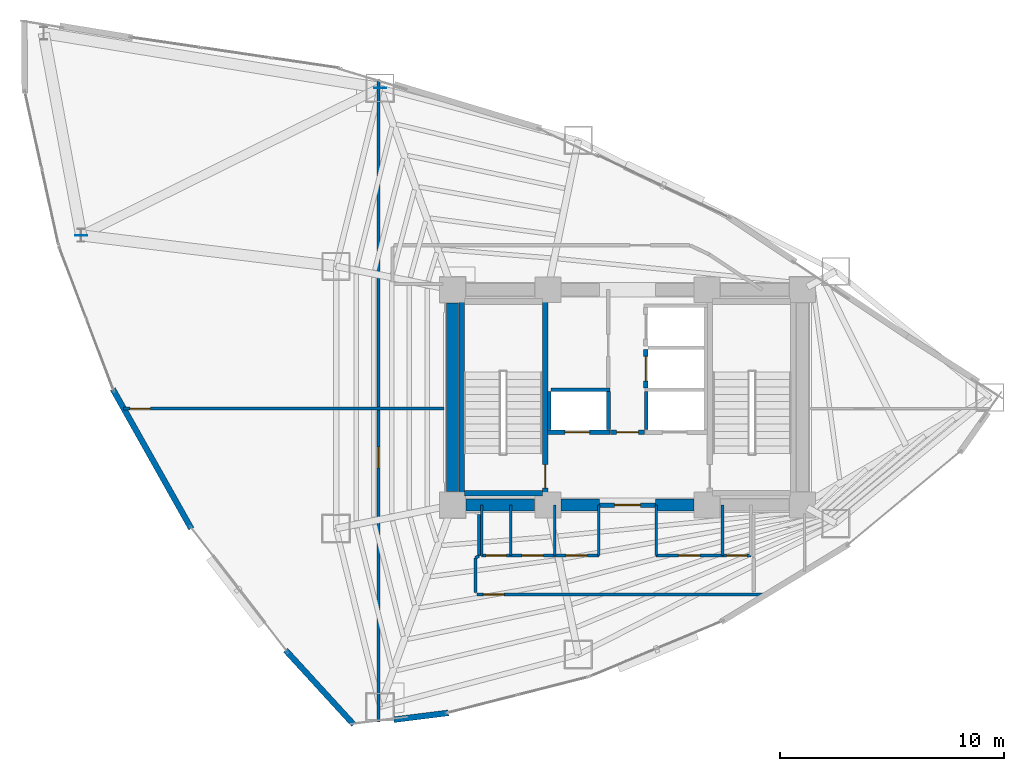
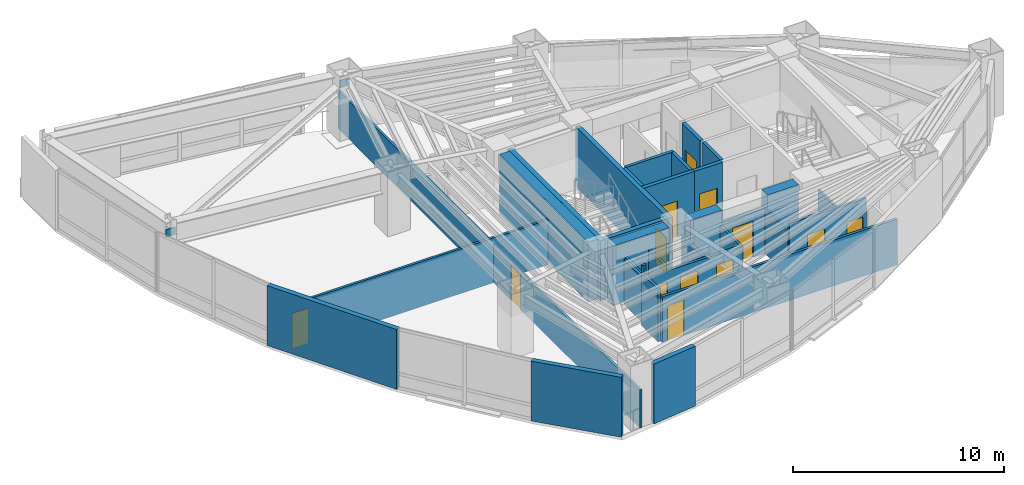
# One storey, part 19 of 23: 32 walls, 13 doors, 2 plates, 13 openings.
"""IFC4 building model written with IfcOpenShell, lengths in metres."""

from ifc_helpers import new_model, si_unit, direction, frame, frame_2d, origin, origin_2d, place, context, subcontext, project, spatial, rectangle, extrude, material, layer, layer_set, type_object, element, fill, save


model = new_model("IFC4")

# Units and contexts
model_context = context("Model", 3, precision=1e-05, world=origin(), true_north=direction((0.0, 1.0)))
body_context = subcontext(model_context, "Body", "Model", "MODEL_VIEW")
ifc_project = project(units=[si_unit("LENGTHUNIT", "METRE"), si_unit("AREAUNIT", "SQUARE_METRE"), si_unit("VOLUMEUNIT", "CUBIC_METRE"), si_unit("PLANEANGLEUNIT", "RADIAN"), si_unit("MASSUNIT", "GRAM", prefix="KILO")], contexts=[model_context])

# Site, building, storey
site_placement = place(None, origin())
site = spatial("IfcSite", under=ifc_project, at=site_placement, CompositionType="ELEMENT")
building_placement = place(site_placement, origin())
building = spatial("IfcBuilding", under=site, at=building_placement, Name="Menara Vayukalpa", CompositionType="ELEMENT")
storey_placement = place(building_placement, frame((0.0, 0.0, 107.699951171875)))
storey = spatial("IfcBuildingStorey", under=building, at=storey_placement, Name="L26", CompositionType="ELEMENT", Elevation=107.699951171875)

# Plates
ifc_material_1 = material(Name="Steel S355", Category="steel")
ifc_layer_1 = layer(ifc_material_1, 0.028076171875)
ifc_layer_set_1 = layer_set([ifc_layer_1], Name="Steel S355")
plate_type = type_object("IfcPlateType", Name="PLT-END1", PredefinedType="USERDEFINED", material=ifc_layer_set_1)
for number, where, z_axis, x_axis, name in (
    (1, (14.569091796875, 35.79736328125, 2.625), (0.0, 0.0, 1.0), (1.0, 0.0, 0.0), "L26 Structural Brace End Gusset Plate 033"),
    (2, (1.239990234375, 29.22314453125, 2.625), (0.0, 0.0, 1.0), (1.0, 0.0, 0.0), "L26 Structural Brace End Gusset Plate 034"),
):
    element("IfcPlate", number, at=place(storey_placement, frame(where, z_axis=z_axis, x_axis=x_axis)), inside=storey, type_object=plate_type, Name=name, ObjectType="GUSSET_PLATE", PredefinedType="USERDEFINED", context=body_context, shape_type="SweptSolid", body=[
        extrude(rectangle(XDim=0.5400390625, YDim=0.028076171875, at=origin_2d()), origin(), (0.0, 0.0, 1.0), 0.43994140625),
    ])

# Walls
ifc_material_2 = material(Name="Concrete C60/75", Category="concrete")
ifc_layer_2 = layer(ifc_material_2, 0.550048828125)
ifc_layer_set_2 = layer_set([ifc_layer_2], Name="Concrete C60/75")
wall_type_1 = type_object("IfcWallType", Name="WAL-CW550", PredefinedType="SHEAR", material=ifc_layer_set_2)
wall_1_placement = place(storey_placement, frame((18.39501953125, 17.199951171875, 0.0), z_axis=(0.0, 0.0, 1.0), x_axis=(1.0, 0.0, 0.0)))
element("IfcWall", 3, at=wall_1_placement, inside=storey, type_object=wall_type_1, Name="L26 Buttressed Core Shear Wall CWS1", PredefinedType="SHEAR", context=body_context, shape_type="SweptSolid", body=[
    extrude(rectangle(XDim=3.06005859375, YDim=0.550048828125, at=frame_2d((1.530029296875, 0.0))), origin(), (0.0, 0.0, 1.0), 3.469970703125),
])
wall_2_placement = place(storey_placement, frame((22.64501953125, 17.199951171875, 0.0), z_axis=(0.0, 0.0, 1.0), x_axis=(1.0, 0.0, 0.0)))
element("IfcWall", 4, at=wall_2_placement, inside=storey, type_object=wall_type_1, Name="L26 Buttressed Core Shear Wall CWS2", PredefinedType="SHEAR", context=body_context, shape_type="SweptSolid", body=[
    extrude(rectangle(XDim=1.705078125, YDim=0.550048828125, at=frame_2d((0.8525390625, 0.0))), origin(), (0.0, 0.0, 1.0), 3.469970703125),
])
wall_3_placement = place(storey_placement, frame((26.85009765625, 17.199951171875, 0.0), z_axis=(0.0, 0.0, 1.0), x_axis=(1.0, 0.0, 0.0)))
element("IfcWall", 5, at=wall_3_placement, inside=storey, type_object=wall_type_1, Name="L26 Buttressed Core Shear Wall CWS3", PredefinedType="SHEAR", context=body_context, shape_type="SweptSolid", body=[
    extrude(rectangle(XDim=1.704833984375, YDim=0.550048828125, at=frame_2d((0.8525390625, 0.0))), origin(), (0.0, 0.0, 1.0), 3.469970703125),
])
wall_4_placement = place(storey_placement, frame((17.800048828125, 17.794921875, 0.0), z_axis=(0.0, 0.0, 1.0), x_axis=(0.0, 1.0, 0.0)))
element("IfcWall", 6, at=wall_4_placement, inside=storey, type_object=wall_type_1, Name="L26 Buttressed Core Shear Wall CWW1", PredefinedType="SHEAR", context=body_context, shape_type="SweptSolid", body=[
    extrude(rectangle(XDim=8.41015625, YDim=0.550048828125, at=frame_2d((4.205078125, 0.0))), origin(), (0.0, 0.0, 1.0), 3.469970703125),
])
ifc_material_3 = material(Name="Insulated Precast Concrete C40/50", Category="concrete")
ifc_layer_3 = layer(ifc_material_3, 0.260009765625)
ifc_layer_set_3 = layer_set([ifc_layer_3], Name="Insulated Precast Concrete C40/50")
wall_type_2 = type_object("IfcWallType", Name="WAL-EXT260", PredefinedType="PARTITIONING", material=ifc_layer_set_3)
wall_5_placement = place(storey_placement, frame((6.150634765625, 16.147216796875, 0.0), z_axis=(0.0, 0.0, 1.0), x_axis=(-0.490230424354, 0.871592870002, 0.0)))
element("IfcWall", 7, at=wall_5_placement, inside=storey, type_object=wall_type_2, Name="L26 Perimeter Terracotta Pier Wall 12", PredefinedType="PARTITIONING", context=body_context, shape_type="SweptSolid", body=[
    extrude(rectangle(XDim=7.14697265625, YDim=0.260009765625, at=frame_2d((3.573486328125, 0.0))), origin(), (0.0, 0.0, 1.0), 3.469970703125),
])
wall_6_placement = place(storey_placement, frame((13.396240234375, 7.407958984375, 0.0), z_axis=(0.0, 0.0, 1.0), x_axis=(-0.675481616858, 0.737376827197, 0.0)))
element("IfcWall", 8, at=wall_6_placement, inside=storey, type_object=wall_type_2, Name="L26 Perimeter Terracotta Pier Wall 14", PredefinedType="PARTITIONING", context=body_context, shape_type="SweptSolid", body=[
    extrude(rectangle(XDim=4.504638671875, YDim=0.260009765625, at=frame_2d((2.25244140625, 0.0))), origin(), (0.0, 0.0, 1.0), 3.469970703125),
])
wall_7_placement = place(storey_placement, frame((17.61962890625, 7.9345703125, 0.0), z_axis=(0.0, 0.0, 1.0), x_axis=(-0.992311540598, -0.123765125925, 0.0)))
element("IfcWall", 9, at=wall_7_placement, inside=storey, type_object=wall_type_2, Name="L26 Perimeter Terracotta Pier Wall 15", PredefinedType="PARTITIONING", context=body_context, shape_type="SweptSolid", body=[
    extrude(rectangle(XDim=2.451904296875, YDim=0.260009765625, at=frame_2d((1.22607421875, 0.0))), origin(), (0.0, 0.0, 1.0), 3.469970703125),
])
ifc_material_4 = material(Name="Lightweight Concrete Blockwork C16/20", Category="masonry")
ifc_layer_4 = layer(ifc_material_4, 0.159912109375)
ifc_layer_set_4 = layer_set([ifc_layer_4], Name="Lightweight Concrete Blockwork C16/20")
wall_type_3 = type_object("IfcWallType", Name="WAL-FR150", PredefinedType="PARTITIONING", material=ifc_layer_set_4)
for number, where, z_axis, x_axis, name in (
    (10, (22.10498046875, 20.56005859375, 0.0), (0.0, 0.0, 1.0), (0.0, 1.0, 0.0), "L26 Interior Partition IW-L26-SHW-WW"),
    (11, (24.7548828125, 20.56005859375, 0.0), (0.0, 0.0, 1.0), (0.0, 1.0, 0.0), "L26 Interior Partition IW-L26-SHW-W1E"),
):
    element("IfcWall", number, at=place(storey_placement, frame(where, z_axis=z_axis, x_axis=x_axis)), inside=storey, type_object=wall_type_3, Name=name, PredefinedType="PARTITIONING", context=body_context, shape_type="SweptSolid", body=[
        extrude(rectangle(XDim=1.7099609375, YDim=0.159912109375, at=frame_2d((0.85498046875, 0.0))), origin(), (0.0, 0.0, 1.0), 3.469970703125),
    ])
wall_8_placement = place(storey_placement, frame((22.179931640625, 22.344970703125, 0.0), z_axis=(0.0, 0.0, 1.0), x_axis=(1.0, 0.0, 0.0)))
element("IfcWall", 12, at=wall_8_placement, inside=storey, type_object=wall_type_3, Name="L26 Interior Partition IW-L26-SHM-W12", PredefinedType="PARTITIONING", context=body_context, shape_type="SweptSolid", body=[
    extrude(rectangle(XDim=2.650146484375, YDim=0.159912109375, at=frame_2d((1.3251953125, 0.0))), origin(), (0.0, 0.0, 1.0), 3.469970703125),
])
wall_9_placement = place(storey_placement, frame((26.445068359375, 20.56005859375, 0.0), z_axis=(0.0, 0.0, 1.0), x_axis=(0.0, 1.0, 0.0)))
element("IfcWall", 13, at=wall_9_placement, inside=storey, type_object=wall_type_3, Name="L26 Interior Partition IW-L26-SHW-E1W", PredefinedType="PARTITIONING", context=body_context, shape_type="SweptSolid", body=[
    extrude(rectangle(XDim=1.7099609375, YDim=0.159912109375, at=frame_2d((0.85498046875, 0.0))), origin(), (0.0, 0.0, 1.0), 3.469970703125),
])

# Wall, opening, door
ifc_material_5 = material(Name="Lightweight Concrete Blockwork C16/20", Category="masonry")
ifc_layer_5 = layer(ifc_material_5, 0.199951171875)
ifc_layer_set_5 = layer_set([ifc_layer_5], Name="Lightweight Concrete Blockwork C16/20")
wall_type_4 = type_object("IfcWallType", Name="WAL-FR200", PredefinedType="PARTITIONING", material=ifc_layer_set_5)
wall_10_placement = place(storey_placement, frame((24.35009765625, 17.199951171875, 0.0), z_axis=(0.0, 0.0, 1.0), x_axis=(1.0, 0.0, 0.0)))
wall_10 = element("IfcWall", 14, at=wall_10_placement, inside=storey, type_object=wall_type_4, Name="L26 Interior Partition IW-L26-FFLS", PredefinedType="PARTITIONING", context=body_context, shape_type="SweptSolid", body=[
    extrude(rectangle(XDim=2.5, YDim=0.199951171875, at=frame_2d((1.25, 0.0))), origin(), (0.0, 0.0, 1.0), 2.60009765625),
])
opening_1_placement = place(wall_10_placement, frame((0.679931640625, 0.0, 0.0)))
opening_1 = element("IfcOpeningElement", 15, at=opening_1_placement, cuts=wall_10, Name="Opening ID2", PredefinedType="OPENING", context=body_context, shape_type="SweptSolid", body=[
    extrude(rectangle(XDim=1.14990234375, YDim=2.080078125, at=frame_2d((0.574951171875, 1.0400390625))), frame((0.0, 0.10986328125, 0.0), z_axis=(0.0, -1.0, 0.0), x_axis=(1.0, 0.0, 0.0)), (0.0, 0.0, 1.0), 0.219970703125),
])
ifc_material_6 = material(Name="Fire-Rated Powder-Coated Steel Door", Category="steel")
door_type_1 = type_object("IfcDoorType", Name="DR-FD60W", OperationType="NOTDEFINED", PredefinedType="DOOR", material=ifc_material_6)
door_1_placement = place(opening_1_placement, origin())
door_1 = element("IfcDoor", 16, at=door_1_placement, inside=storey, type_object=door_type_1, Name="L26 Interior Door DR-L26-FFLS", OperationType="SINGLE_SWING_LEFT", OverallHeight=2.080078125, OverallWidth=1.14990234375, PredefinedType="DOOR", context=body_context, shape_type="SweptSolid", body=[
    extrude(rectangle(XDim=1.14990234375, YDim=2.080078125, at=frame_2d((0.574951171875, 1.0400390625))), frame((0.0, 0.02490234375, 0.0), z_axis=(0.0, -1.0, 0.0), x_axis=(1.0, 0.0, 0.0)), (0.0, 0.0, 1.0), 0.050048828125),
])
fill(opening_1, door_1)

wall_11_placement = place(storey_placement, frame((24.840087890625, 20.449951171875, 0.0), z_axis=(0.0, 0.0, 1.0), x_axis=(1.0, 0.0, 0.0)))
wall_11 = element("IfcWall", 17, at=wall_11_placement, inside=storey, type_object=wall_type_4, Name="L26 Interior Partition IW-L26-FFLN", PredefinedType="PARTITIONING", context=body_context, shape_type="SweptSolid", body=[
    extrude(rectangle(XDim=1.52001953125, YDim=0.199951171875, at=frame_2d((0.760009765625, 0.0))), origin(), (0.0, 0.0, 1.0), 3.469970703125),
])
opening_2_placement = place(wall_11_placement, frame((0.27001953125, 0.0, 0.0)))
opening_2 = element("IfcOpeningElement", 18, at=opening_2_placement, cuts=wall_11, Name="Opening ID3", PredefinedType="OPENING", context=body_context, shape_type="SweptSolid", body=[
    extrude(rectangle(XDim=0.97998046875, YDim=2.06005859375, at=frame_2d((0.489990234375, 1.030029296875))), frame((0.0, 0.10986328125, 0.0), z_axis=(0.0, -1.0, 0.0), x_axis=(1.0, 0.0, 0.0)), (0.0, 0.0, 1.0), 0.219970703125),
])
ifc_material_7 = material(Name="Fire-Rated Powder-Coated Steel Door", Category="steel")
door_type_2 = type_object("IfcDoorType", Name="DR-FD60", OperationType="NOTDEFINED", PredefinedType="DOOR", material=ifc_material_7)
door_2_placement = place(opening_2_placement, origin())
door_2 = element("IfcDoor", 19, at=door_2_placement, inside=storey, type_object=door_type_2, Name="L26 Interior Door DR-L26-FFLN", OperationType="SINGLE_SWING_RIGHT", OverallHeight=2.06005859375, OverallWidth=0.97998046875, PredefinedType="DOOR", context=body_context, shape_type="SweptSolid", body=[
    extrude(rectangle(XDim=0.97998046875, YDim=2.06005859375, at=frame_2d((0.489990234375, 1.030029296875))), frame((0.0, 0.02490234375, 0.0), z_axis=(0.0, -1.0, 0.0), x_axis=(1.0, 0.0, 0.0)), (0.0, 0.0, 1.0), 0.050048828125),
])
fill(opening_2, door_2)

wall_12_placement = place(storey_placement, frame((22.030029296875, 20.449951171875, 0.0), z_axis=(0.0, 0.0, 1.0), x_axis=(1.0, 0.0, 0.0)))
wall_12 = element("IfcWall", 20, at=wall_12_placement, inside=storey, type_object=wall_type_4, Name="L26 Interior Partition IW-L26-SH-W1", PredefinedType="PARTITIONING", context=body_context, shape_type="SweptSolid", body=[
    extrude(rectangle(XDim=2.800048828125, YDim=0.199951171875, at=frame_2d((1.39990234375, 0.0))), origin(), (0.0, 0.0, 1.0), 3.469970703125),
])
opening_3_placement = place(wall_12_placement, frame((0.780029296875, 0.0, 0.0)))
opening_3 = element("IfcOpeningElement", 21, at=opening_3_placement, cuts=wall_12, Name="Opening LD1", PredefinedType="OPENING", context=body_context, shape_type="SweptSolid", body=[
    extrude(rectangle(XDim=1.10009765625, YDim=2.080078125, at=frame_2d((0.550048828125, 1.0400390625))), frame((0.0, 0.10986328125, 0.0), z_axis=(0.0, -1.0, 0.0), x_axis=(1.0, 0.0, 0.0)), (0.0, 0.0, 1.0), 0.219970703125),
])
ifc_material_8 = material(Name="Brushed Stainless Steel 316 Lift Door", Category="steel")
door_type_3 = type_object("IfcDoorType", Name="DR-LD110", OperationType="NOTDEFINED", PredefinedType="DOOR", material=ifc_material_8)
door_3_placement = place(opening_3_placement, origin())
door_3 = element("IfcDoor", 22, at=door_3_placement, inside=storey, type_object=door_type_3, Name="L26 Interior Door DR-L26-LD-W1", OperationType="DOUBLE_DOOR_SLIDING", OverallHeight=2.080078125, OverallWidth=1.10009765625, PredefinedType="DOOR", context=body_context, shape_type="SweptSolid", body=[
    extrude(rectangle(XDim=1.10009765625, YDim=2.080078125, at=frame_2d((0.550048828125, 1.0400390625))), frame((0.0, 0.02490234375, 0.0), z_axis=(0.0, -1.0, 0.0), x_axis=(1.0, 0.0, 0.0)), (0.0, 0.0, 1.0), 0.050048828125),
])
fill(opening_3, door_3)

wall_13_placement = place(storey_placement, frame((26.419921875, 22.419921875, 0.0), z_axis=(0.0, 0.0, 1.0), x_axis=(0.0, 1.0, 0.0)))
wall_13 = element("IfcWall", 23, at=wall_13_placement, inside=storey, type_object=wall_type_4, Name="L26 Interior Partition IW-L26-SH-E3", PredefinedType="PARTITIONING", context=body_context, shape_type="SweptSolid", body=[
    extrude(rectangle(XDim=1.719970703125, YDim=0.199951171875, at=frame_2d((0.85986328125, 0.0))), origin(), (0.0, 0.0, 1.0), 3.469970703125),
])
opening_4_placement = place(wall_13_placement, frame((0.31005859375, 0.0, 0.0)))
opening_4 = element("IfcOpeningElement", 24, at=opening_4_placement, cuts=wall_13, Name="Opening LD1", PredefinedType="OPENING", context=body_context, shape_type="SweptSolid", body=[
    extrude(rectangle(XDim=1.10009765625, YDim=2.080078125, at=frame_2d((0.550048828125, 1.0400390625))), frame((0.0, 0.10986328125, 0.0), z_axis=(0.0, -1.0, 0.0), x_axis=(1.0, 0.0, 0.0)), (0.0, 0.0, 1.0), 0.219970703125),
])
door_4_placement = place(opening_4_placement, origin())
door_4 = element("IfcDoor", 25, at=door_4_placement, inside=storey, type_object=door_type_3, Name="L26 Interior Door DR-L26-LD-E3", OperationType="DOUBLE_DOOR_SLIDING", OverallHeight=2.080078125, OverallWidth=1.10009765625, PredefinedType="DOOR", context=body_context, shape_type="SweptSolid", body=[
    extrude(rectangle(XDim=1.10009765625, YDim=2.080078125, at=frame_2d((0.550048828125, 1.0400390625))), frame((0.0, 0.02490234375, 0.0), z_axis=(0.0, -1.0, 0.0), x_axis=(1.0, 0.0, 0.0)), (0.0, 0.0, 1.0), 0.050048828125),
])
fill(opening_4, door_4)

# Walls
ifc_material_9 = material(Name="Acoustic Mineral Stud Partition", Category="masonry")
ifc_layer_6 = layer(ifc_material_9, 0.110107421875)
ifc_layer_set_6 = layer_set([ifc_layer_6], Name="Acoustic Mineral Stud Partition")
wall_type_5 = type_object("IfcWallType", Name="WAL-PT110", PredefinedType="PARTITIONING", material=ifc_layer_set_6)
for number, where, z_axis, x_axis, name in (
    (26, (20.39990234375, 14.949951171875, 0.0), (0.0, 0.0, 1.0), (0.0, 1.0, 0.0), "L26 Interior Partition IW-L26-SVCD-02"),
    (27, (26.8798828125, 14.949951171875, 0.0), (0.0, 0.0, 1.0), (0.0, 1.0, 0.0), "L26 Interior Partition IW-L26-SVCD-05"),
):
    element("IfcWall", number, at=place(storey_placement, frame(where, z_axis=z_axis, x_axis=x_axis)), inside=storey, type_object=wall_type_5, Name=name, PredefinedType="PARTITIONING", context=body_context, shape_type="SweptSolid", body=[
        extrude(rectangle(XDim=2.25, YDim=0.110107421875, at=frame_2d((1.125, 0.0))), origin(), (0.0, 0.0, 1.0), 2.60009765625),
    ])
ifc_material_10 = material(Name="Gypsum Drywall Steel Stud Assembly", Category="steel")
ifc_layer_7 = layer(ifc_material_10, 0.125)
ifc_layer_set_7 = layer_set([ifc_layer_7], Name="Gypsum Drywall Steel Stud Assembly")
wall_type_6 = type_object("IfcWallType", Name="WAL-PT125", PredefinedType="PARTITIONING", material=ifc_layer_set_7)
for number, where, z_axis, x_axis, name in (
    (28, (19.10009765625, 14.949951171875, 0.0), (0.0, 0.0, 1.0), (0.0, 1.0, 0.0), "L26 Interior Partition IW-L26-SVCD-01"),
    (29, (22.360107421875, 14.949951171875, 0.0), (0.0, 0.0, 1.0), (0.0, 1.0, 0.0), "L26 Interior Partition IW-L26-SVCD-03"),
    (30, (24.320068359375, 14.949951171875, 0.0), (0.0, 0.0, 1.0), (0.0, 1.0, 0.0), "L26 Interior Partition IW-L26-SVCD-04"),
    (31, (29.830078125, 14.949951171875, 0.0), (0.0, 0.0, 1.0), (0.0, 1.0, 0.0), "L26 Interior Partition IW-L26-SVCD-06"),
):
    element("IfcWall", number, at=place(storey_placement, frame(where, z_axis=z_axis, x_axis=x_axis)), inside=storey, type_object=wall_type_6, Name=name, PredefinedType="PARTITIONING", context=body_context, shape_type="SweptSolid", body=[
        extrude(rectangle(XDim=2.25, YDim=0.125, at=frame_2d((1.125, 0.0))), origin(), (0.0, 0.0, 1.0), 2.60009765625),
    ])

# Wall, opening, door
wall_14_placement = place(storey_placement, frame((14.5, 7.535400390625, 0.0), z_axis=(0.0, 0.0, 1.0), x_axis=(0.0, 1.0, 0.0)))
wall_14 = element("IfcWall", 32, at=wall_14_placement, inside=storey, type_object=wall_type_6, Name="L26 Interior Partition IW-L26-RDIV01", PredefinedType="PARTITIONING", context=body_context, shape_type="SweptSolid", body=[
    extrude(rectangle(XDim=28.648193359375, YDim=0.125, at=frame_2d((14.32421875, 0.0))), origin(), (0.0, 0.0, 1.0), 2.199951171875),
])
opening_5_placement = place(wall_14_placement, frame((11.324951171875, 0.0, 0.0)))
opening_5 = element("IfcOpeningElement", 33, at=opening_5_placement, cuts=wall_14, Name="Opening ID6", PredefinedType="OPENING", context=body_context, shape_type="SweptSolid", body=[
    extrude(rectangle(XDim=0.919921875, YDim=2.050048828125, at=frame_2d((0.4599609375, 1.02490234375))), frame((0.0, 0.072509765625, 0.0), z_axis=(0.0, -1.0, 0.0), x_axis=(1.0, 0.0, 0.0)), (0.0, 0.0, 1.0), 0.14501953125),
])
ifc_material_11 = material(Name="Acoustic Hardwood Veneer Timber Door", Category="wood")
door_type_4 = type_object("IfcDoorType", Name="DR-INT92", OperationType="NOTDEFINED", PredefinedType="DOOR", material=ifc_material_11)
door_5_placement = place(opening_5_placement, origin())
door_5 = element("IfcDoor", 34, at=door_5_placement, inside=storey, type_object=door_type_4, Name="L26 Interior Door DR-L26-STE01", OperationType="SINGLE_SWING_LEFT", OverallHeight=2.050048828125, OverallWidth=0.919921875, PredefinedType="DOOR", context=body_context, shape_type="SweptSolid", body=[
    extrude(rectangle(XDim=0.919921875, YDim=2.050048828125, at=frame_2d((0.4599609375, 1.02490234375))), frame((0.0, 0.02490234375, 0.0), z_axis=(0.0, -1.0, 0.0), x_axis=(1.0, 0.0, 0.0)), (0.0, 0.0, 1.0), 0.050048828125),
])
fill(opening_5, door_5)

wall_15_placement = place(storey_placement, frame((3.12841796875, 21.5, 0.0), z_axis=(0.0, 0.0, 1.0), x_axis=(1.0, 0.0, 0.0)))
wall_15 = element("IfcWall", 35, at=wall_15_placement, inside=storey, type_object=wall_type_6, Name="L26 Interior Partition IW-L26-RDIV03", PredefinedType="PARTITIONING", context=body_context, shape_type="SweptSolid", body=[
    extrude(rectangle(XDim=14.301513671875, YDim=0.125, at=frame_2d((7.15087890625, 0.0))), origin(), (0.0, 0.0, 1.0), 2.60009765625),
])
opening_6_placement = place(wall_15_placement, frame((0.280029296875, 0.0, 0.0)))
opening_6 = element("IfcOpeningElement", 36, at=opening_6_placement, cuts=wall_15, Name="Opening ID6", PredefinedType="OPENING", context=body_context, shape_type="SweptSolid", body=[
    extrude(rectangle(XDim=0.919921875, YDim=2.050048828125, at=frame_2d((0.4599609375, 1.02490234375))), frame((0.0, 0.072509765625, 0.0), z_axis=(0.0, -1.0, 0.0), x_axis=(1.0, 0.0, 0.0)), (0.0, 0.0, 1.0), 0.14501953125),
])
door_6_placement = place(opening_6_placement, origin())
door_6 = element("IfcDoor", 37, at=door_6_placement, inside=storey, type_object=door_type_4, Name="L26 Interior Door DR-L26-STE05", OperationType="SINGLE_SWING_RIGHT", OverallHeight=2.050048828125, OverallWidth=0.919921875, PredefinedType="DOOR", context=body_context, shape_type="SweptSolid", body=[
    extrude(rectangle(XDim=0.919921875, YDim=2.050048828125, at=frame_2d((0.4599609375, 1.02490234375))), frame((0.0, 0.02490234375, 0.0), z_axis=(0.0, -1.0, 0.0), x_axis=(1.0, 0.0, 0.0)), (0.0, 0.0, 1.0), 0.050048828125),
])
fill(opening_6, door_6)

# Wall, openings, doors
ifc_material_12 = material(Name="Gypsum Drywall Acoustic Stud Assembly", Category="masonry")
ifc_layer_8 = layer(ifc_material_12, 0.14501953125)
ifc_layer_set_8 = layer_set([ifc_layer_8], Name="Gypsum Drywall Acoustic Stud Assembly")
wall_type_7 = type_object("IfcWallType", Name="WAL-PT150", PredefinedType="PARTITIONING", material=ifc_layer_set_8)
wall_16_placement = place(storey_placement, frame((19.10009765625, 14.949951171875, 0.0), z_axis=(0.0, 0.0, 1.0), x_axis=(1.0, 0.0, 0.0)))
wall_16 = element("IfcWall", 38, at=wall_16_placement, inside=storey, type_object=wall_type_7, Name="L26 Interior Partition IW-L26-SVCS-W", PredefinedType="PARTITIONING", context=body_context, shape_type="SweptSolid", body=[
    extrude(rectangle(XDim=5.219970703125, YDim=0.14501953125, at=frame_2d((2.60986328125, 0.0))), origin(), (0.0, 0.0, 1.0), 2.650146484375),
])
opening_7_placement = place(wall_16_placement, frame((0.199951171875, 0.0, 0.0)))
opening_7 = element("IfcOpeningElement", 39, at=opening_7_placement, cuts=wall_16, Name="Opening ID7", PredefinedType="OPENING", context=body_context, shape_type="SweptSolid", body=[
    extrude(rectangle(XDim=0.89990234375, YDim=2.02001953125, at=frame_2d((0.449951171875, 1.010009765625))), frame((0.0, 0.08251953125, 0.0), z_axis=(0.0, -1.0, 0.0), x_axis=(1.0, 0.0, 0.0)), (0.0, 0.0, 1.0), 0.1650390625),
])
opening_8_placement = place(wall_16_placement, frame((1.804931640625, 0.0, 0.0)))
opening_8 = element("IfcOpeningElement", 40, at=opening_8_placement, cuts=wall_16, Name="Opening ID5", PredefinedType="OPENING", context=body_context, shape_type="SweptSolid", body=[
    extrude(rectangle(XDim=0.949951171875, YDim=2.06005859375, at=frame_2d((0.47509765625, 1.030029296875))), frame((0.0, 0.08251953125, 0.0), z_axis=(0.0, -1.0, 0.0), x_axis=(1.0, 0.0, 0.0)), (0.0, 0.0, 1.0), 0.1650390625),
])
opening_9_placement = place(wall_16_placement, frame((3.764892578125, 0.0, 0.0)))
opening_9 = element("IfcOpeningElement", 41, at=opening_9_placement, cuts=wall_16, Name="Opening ID5", PredefinedType="OPENING", context=body_context, shape_type="SweptSolid", body=[
    extrude(rectangle(XDim=0.949951171875, YDim=2.06005859375, at=frame_2d((0.47509765625, 1.030029296875))), frame((0.0, 0.08251953125, 0.0), z_axis=(0.0, -1.0, 0.0), x_axis=(1.0, 0.0, 0.0)), (0.0, 0.0, 1.0), 0.1650390625),
])
ifc_material_13 = material(Name="Acoustic Hardwood Veneer Timber Door", Category="wood")
door_type_5 = type_object("IfcDoorType", Name="DR-INT95", OperationType="NOTDEFINED", PredefinedType="DOOR", material=ifc_material_13)
door_7_placement = place(opening_8_placement, origin())
door_7 = element("IfcDoor", 42, at=door_7_placement, inside=storey, type_object=door_type_5, Name="L26 Interior Door DR-L26-AWC", OperationType="SINGLE_SWING_LEFT", OverallHeight=2.06005859375, OverallWidth=0.949951171875, PredefinedType="DOOR", context=body_context, shape_type="SweptSolid", body=[
    extrude(rectangle(XDim=0.949951171875, YDim=2.06005859375, at=frame_2d((0.47509765625, 1.030029296875))), frame((0.0, 0.02490234375, 0.0), z_axis=(0.0, -1.0, 0.0), x_axis=(1.0, 0.0, 0.0)), (0.0, 0.0, 1.0), 0.050048828125),
])
fill(opening_8, door_7)
door_8_placement = place(opening_9_placement, origin())
door_8 = element("IfcDoor", 43, at=door_8_placement, inside=storey, type_object=door_type_5, Name="L26 Interior Door DR-L26-SWC", OperationType="SINGLE_SWING_RIGHT", OverallHeight=2.06005859375, OverallWidth=0.949951171875, PredefinedType="DOOR", context=body_context, shape_type="SweptSolid", body=[
    extrude(rectangle(XDim=0.949951171875, YDim=2.06005859375, at=frame_2d((0.47509765625, 1.030029296875))), frame((0.0, 0.02490234375, 0.0), z_axis=(0.0, -1.0, 0.0), x_axis=(1.0, 0.0, 0.0)), (0.0, 0.0, 1.0), 0.050048828125),
])
fill(opening_9, door_8)
ifc_material_14 = material(Name="Powder-Coated Steel Riser Access Door", Category="steel")
door_type_6 = type_object("IfcDoorType", Name="DR-RISER", OperationType="NOTDEFINED", PredefinedType="DOOR", material=ifc_material_14)
door_9_placement = place(opening_7_placement, origin())
door_9 = element("IfcDoor", 44, at=door_9_placement, inside=storey, type_object=door_type_6, Name="L26 Interior Door DR-L26-ELR", OperationType="SINGLE_SWING_RIGHT", OverallHeight=2.02001953125, OverallWidth=0.89990234375, PredefinedType="DOOR", context=body_context, shape_type="SweptSolid", body=[
    extrude(rectangle(XDim=0.89990234375, YDim=2.02001953125, at=frame_2d((0.449951171875, 1.010009765625))), frame((0.0, 0.02490234375, 0.0), z_axis=(0.0, -1.0, 0.0), x_axis=(1.0, 0.0, 0.0)), (0.0, 0.0, 1.0), 0.050048828125),
])
fill(opening_7, door_9)

wall_17_placement = place(storey_placement, frame((26.8798828125, 14.949951171875, 0.0), z_axis=(0.0, 0.0, 1.0), x_axis=(1.0, 0.0, 0.0)))
wall_17 = element("IfcWall", 45, at=wall_17_placement, inside=storey, type_object=wall_type_7, Name="L26 Interior Partition IW-L26-SVCS-E", PredefinedType="PARTITIONING", context=body_context, shape_type="SweptSolid", body=[
    extrude(rectangle(XDim=4.22021484375, YDim=0.14501953125, at=frame_2d((2.110107421875, 0.0))), origin(), (0.0, 0.0, 1.0), 3.050048828125),
])
opening_10_placement = place(wall_17_placement, frame((0.9951171875, 0.0, 0.0)))
opening_10 = element("IfcOpeningElement", 46, at=opening_10_placement, cuts=wall_17, Name="Opening ID5", PredefinedType="OPENING", context=body_context, shape_type="SweptSolid", body=[
    extrude(rectangle(XDim=0.949951171875, YDim=2.06005859375, at=frame_2d((0.47509765625, 1.030029296875))), frame((0.0, 0.08251953125, 0.0), z_axis=(0.0, -1.0, 0.0), x_axis=(1.0, 0.0, 0.0)), (0.0, 0.0, 1.0), 0.1650390625),
])
opening_11_placement = place(wall_17_placement, frame((3.139892578125, 0.0, 0.0)))
opening_11 = element("IfcOpeningElement", 47, at=opening_11_placement, cuts=wall_17, Name="Opening ID7", PredefinedType="OPENING", context=body_context, shape_type="SweptSolid", body=[
    extrude(rectangle(XDim=0.89990234375, YDim=2.02001953125, at=frame_2d((0.449951171875, 1.010009765625))), frame((0.0, 0.08251953125, 0.0), z_axis=(0.0, -1.0, 0.0), x_axis=(1.0, 0.0, 0.0)), (0.0, 0.0, 1.0), 0.1650390625),
])
door_10_placement = place(opening_10_placement, origin())
door_10 = element("IfcDoor", 48, at=door_10_placement, inside=storey, type_object=door_type_5, Name="L26 Interior Door DR-L26-KSV1", OperationType="SINGLE_SWING_LEFT", OverallHeight=2.06005859375, OverallWidth=0.949951171875, PredefinedType="DOOR", context=body_context, shape_type="SweptSolid", body=[
    extrude(rectangle(XDim=0.949951171875, YDim=2.06005859375, at=frame_2d((0.47509765625, 1.030029296875))), frame((0.0, 0.02490234375, 0.0), z_axis=(0.0, -1.0, 0.0), x_axis=(1.0, 0.0, 0.0)), (0.0, 0.0, 1.0), 0.050048828125),
])
fill(opening_10, door_10)
door_11_placement = place(opening_11_placement, origin())
door_11 = element("IfcDoor", 49, at=door_11_placement, inside=storey, type_object=door_type_6, Name="L26 Interior Door DR-L26-SMD", OperationType="SINGLE_SWING_RIGHT", OverallHeight=2.02001953125, OverallWidth=0.89990234375, PredefinedType="DOOR", context=body_context, shape_type="SweptSolid", body=[
    extrude(rectangle(XDim=0.89990234375, YDim=2.02001953125, at=frame_2d((0.449951171875, 1.010009765625))), frame((0.0, 0.02490234375, 0.0), z_axis=(0.0, -1.0, 0.0), x_axis=(1.0, 0.0, 0.0)), (0.0, 0.0, 1.0), 0.050048828125),
])
fill(opening_11, door_11)

# Walls
wall_18_placement = place(storey_placement, frame((18.97998046875, 16.780029296875, 0.0), z_axis=(0.0, 0.0, 1.0), x_axis=(0.0, -1.0, 0.0)))
element("IfcWall", 50, at=wall_18_placement, inside=storey, type_object=wall_type_7, Name="L26 Interior Partition IW-L26-CRM02-1", PredefinedType="PARTITIONING", context=body_context, shape_type="SweptSolid", body=[
    extrude(rectangle(XDim=1.85009765625, YDim=0.14501953125, at=frame_2d((0.925048828125, 0.0))), origin(), (0.0, 0.0, 1.0), 2.60009765625),
])
wall_19_placement = place(storey_placement, frame((18.820068359375, 14.85009765625, 0.0), z_axis=(0.0, 0.0, 1.0), x_axis=(0.0, -1.0, 0.0)))
element("IfcWall", 51, at=wall_19_placement, inside=storey, type_object=wall_type_7, Name="L26 Interior Partition IW-L26-CRM02-2", PredefinedType="PARTITIONING", context=body_context, shape_type="SweptSolid", body=[
    extrude(rectangle(XDim=1.56005859375, YDim=0.14501953125, at=frame_2d((0.780029296875, 0.0))), origin(), (0.0, 0.0, 1.0), 3.050048828125),
])

# Wall, opening, door
wall_20_placement = place(storey_placement, frame((18.89990234375, 13.2099609375, 0.0), z_axis=(0.0, 0.0, 1.0), x_axis=(1.0, 0.0, 0.0)))
wall_20 = element("IfcWall", 52, at=wall_20_placement, inside=storey, type_object=wall_type_7, Name="L26 Interior Partition IW-L26-CRM02-3", PredefinedType="PARTITIONING", context=body_context, shape_type="SweptSolid", body=[
    extrude(rectangle(XDim=12.884033203125, YDim=0.14501953125, at=frame_2d((6.44189453125, 0.0))), origin(), (0.0, 0.0, 1.0), 2.650146484375),
])
opening_12_placement = place(wall_20_placement, frame((0.280029296875, 0.0, 0.0)))
opening_12 = element("IfcOpeningElement", 53, at=opening_12_placement, cuts=wall_20, Name="Opening ID6", PredefinedType="OPENING", context=body_context, shape_type="SweptSolid", body=[
    extrude(rectangle(XDim=0.919921875, YDim=2.050048828125, at=frame_2d((0.4599609375, 1.02490234375))), frame((0.0, 0.08251953125, 0.0), z_axis=(0.0, -1.0, 0.0), x_axis=(1.0, 0.0, 0.0)), (0.0, 0.0, 1.0), 0.1650390625),
])
door_12_placement = place(opening_12_placement, origin())
door_12 = element("IfcDoor", 54, at=door_12_placement, inside=storey, type_object=door_type_4, Name="L26 Interior Door DR-L26-RM02", OperationType="SINGLE_SWING_LEFT", OverallHeight=2.050048828125, OverallWidth=0.919921875, PredefinedType="DOOR", context=body_context, shape_type="SweptSolid", body=[
    extrude(rectangle(XDim=0.919921875, YDim=2.050048828125, at=frame_2d((0.4599609375, 1.02490234375))), frame((0.0, 0.02490234375, 0.0), z_axis=(0.0, -1.0, 0.0), x_axis=(1.0, 0.0, 0.0)), (0.0, 0.0, 1.0), 0.050048828125),
])
fill(opening_12, door_12)

# Walls
wall_21_placement = place(storey_placement, frame((18.820068359375, 14.85009765625, 0.0), z_axis=(0.0, 0.0, 1.0), x_axis=(0.89470021502, 0.446667130247, 0.0)))
element("IfcWall", 55, at=wall_21_placement, inside=storey, type_object=wall_type_7, Name="L26 Interior Partition IW-L26-CRM02-2-R0", PredefinedType="PARTITIONING", context=body_context, shape_type="SweptSolid", body=[
    extrude(rectangle(XDim=0.1787109375, YDim=0.14501953125, at=frame_2d((0.08935546875, 0.0))), origin(), (0.0, 0.0, 1.0), 3.469970703125),
])
ifc_material_15 = material(Name="Concrete C50/60", Category="concrete")
ifc_layer_9 = layer(ifc_material_15, 0.25)
ifc_layer_set_9 = layer_set([ifc_layer_9], Name="Concrete C50/60")
wall_type_8 = type_object("IfcWallType", Name="WAL-SW250", PredefinedType="SHEAR", material=ifc_layer_set_9)
wall_22_placement = place(storey_placement, frame((18.2041015625, 17.60009765625, 0.0), z_axis=(0.0, 0.0, 1.0), x_axis=(0.0, 1.0, 0.0)))
element("IfcWall", 56, at=wall_22_placement, inside=storey, type_object=wall_type_8, Name="L26 ST1 Structural Stair Shaft Wall W", PredefinedType="SHEAR", context=body_context, shape_type="SweptSolid", body=[
    extrude(rectangle(XDim=8.7998046875, YDim=0.25, at=frame_2d((4.39990234375, 0.0))), origin(), (0.0, 0.0, 1.0), 3.469970703125),
])

# Wall, opening, door
wall_23_placement = place(storey_placement, frame((21.925048828125, 17.60009765625, 0.0), z_axis=(0.0, 0.0, 1.0), x_axis=(0.0, 1.0, 0.0)))
wall_23 = element("IfcWall", 57, at=wall_23_placement, inside=storey, type_object=wall_type_8, Name="L26 ST1 Structural Stair Shaft Wall E", PredefinedType="SHEAR", context=body_context, shape_type="SweptSolid", body=[
    extrude(rectangle(XDim=8.7998046875, YDim=0.25, at=frame_2d((4.39990234375, 0.0))), origin(), (0.0, 0.0, 1.0), 3.469970703125),
])
opening_13_placement = place(wall_23_placement, frame((0.35009765625, 0.0, 0.0)))
opening_13 = element("IfcOpeningElement", 58, at=opening_13_placement, cuts=wall_23, Name="Opening ID1", PredefinedType="OPENING", context=body_context, shape_type="SweptSolid", body=[
    extrude(rectangle(XDim=1.050048828125, YDim=2.080078125, at=frame_2d((0.52490234375, 1.0400390625))), frame((0.0, 0.135009765625, 0.0), z_axis=(0.0, -1.0, 0.0), x_axis=(1.0, 0.0, 0.0)), (0.0, 0.0, 1.0), 0.27001953125),
])
ifc_material_16 = material(Name="Fire-Rated Powder-Coated Steel Door", Category="steel")
door_type_7 = type_object("IfcDoorType", Name="DR-FD120", OperationType="NOTDEFINED", PredefinedType="DOOR", material=ifc_material_16)
door_13_placement = place(opening_13_placement, origin())
door_13 = element("IfcDoor", 59, at=door_13_placement, inside=storey, type_object=door_type_7, Name="L26 Stair Exit Door DR-L26-ST1", OperationType="SINGLE_SWING_LEFT", OverallHeight=2.080078125, OverallWidth=1.050048828125, PredefinedType="DOOR", context=body_context, shape_type="SweptSolid", body=[
    extrude(rectangle(XDim=1.050048828125, YDim=2.080078125, at=frame_2d((0.52490234375, 1.0400390625))), frame((0.0, 0.02490234375, 0.0), z_axis=(0.0, -1.0, 0.0), x_axis=(1.0, 0.0, 0.0)), (0.0, 0.0, 1.0), 0.050048828125),
])
fill(opening_13, door_13)

# Wall
wall_24_placement = place(storey_placement, frame((18.3291015625, 17.72509765625, 0.0), z_axis=(0.0, 0.0, 1.0), x_axis=(1.0, 0.0, 0.0)))
element("IfcWall", 60, at=wall_24_placement, inside=storey, type_object=wall_type_8, Name="L26 ST1 Structural Stair Shaft Wall S", PredefinedType="SHEAR", context=body_context, shape_type="SweptSolid", body=[
    extrude(rectangle(XDim=3.470947265625, YDim=0.25, at=frame_2d((1.7353515625, 0.0))), origin(), (0.0, 0.0, 1.0), 3.469970703125),
])

save(model, "model.ifc")
